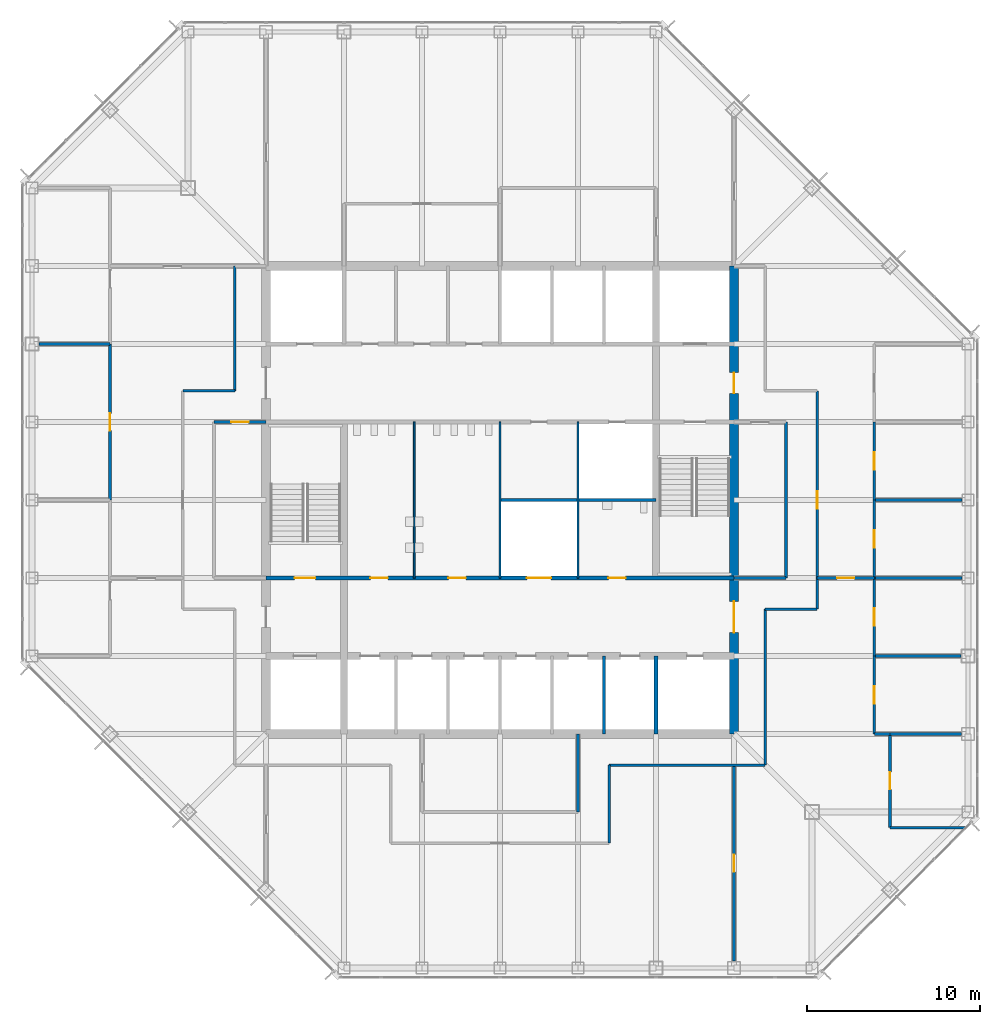
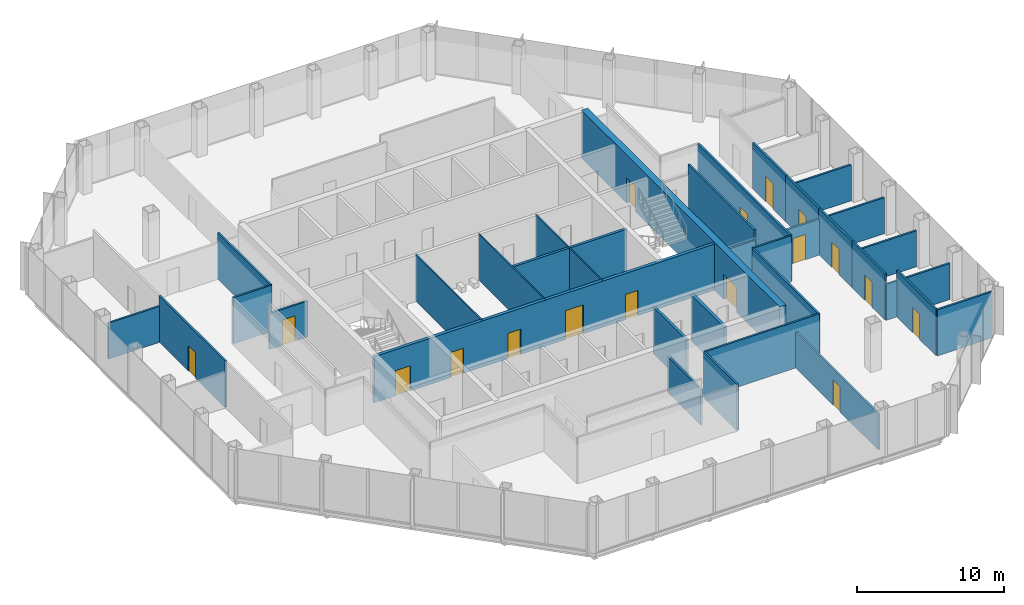
# One storey, part 9 of 13: 34 walls, 17 doors, 17 openings.
"""IFC4 building model written with IfcOpenShell, lengths in metres."""

import ifcopenshell
import ifcopenshell.guid

model = None  # the IFC model being written
_history = None  # IfcOwnerHistory: only IFC2X3 demands one
_inside = {}  # id of a spatial element -> (the spatial element, [elements in it])
_under = {}  # id of a project, library or spatial element -> (it, [spatial elements below it])
_declared = {}  # id of a project -> (the project, [libraries it declares])
_typed = {}  # id of a type object -> (the type object, [elements of that type])
_made_of = {}  # id of a material, layer set ... -> (it, [elements and type objects made of it])


def new_model(schema):
    """Start an empty IFC model of exactly this schema.

    Asked for "IFC4X3", IfcOpenShell would pick the latest addendum, in which some entities
    have other attributes; the version numbers below select the first issue.
    IFC2X3 requires an IfcOwnerHistory on every rooted entity: one is made here for all.
    """
    global model, _history
    if schema == "IFC4X3":
        model = ifcopenshell.file(schema_version=(4, 3, 0, 0))
    else:
        model = ifcopenshell.file(schema=schema)
    _inside.clear()
    _under.clear()
    _declared.clear()
    _typed.clear()
    _made_of.clear()
    _history = None
    if model.schema == "IFC2X3":
        org = make("IfcOrganization", Name="unknown")
        user = make(
            "IfcPersonAndOrganization",
            ThePerson=make("IfcPerson", FamilyName="unknown"),
            TheOrganization=org,
        )
        app = make(
            "IfcApplication",
            ApplicationDeveloper=org,
            Version="unknown",
            ApplicationFullName="unknown",
            ApplicationIdentifier="unknown",
        )
        _history = make(
            "IfcOwnerHistory",
            OwningUser=user,
            OwningApplication=app,
            ChangeAction="ADDED",
            CreationDate=0,
        )
    return model


def make(cls, **values):
    """One entity of the class cls with the attributes given. An attribute that is None is left unset."""
    return model.create_entity(
        cls, **{name: value for name, value in values.items() if value is not None}
    )


def rooted(cls, **values):
    """An entity with a GlobalId (a new one), such as an element, a storey or a relation."""
    return make(cls, GlobalId=ifcopenshell.guid.new(), OwnerHistory=_history, **values)


def si_unit(unit_type, name, prefix=None):
    """IfcSIUnit, for example si_unit("LENGTHUNIT", "METRE", prefix="MILLI")."""
    return make("IfcSIUnit", UnitType=unit_type, Prefix=prefix, Name=name)


def assignment(units):
    """IfcUnitAssignment: the units of a project."""
    return None if units is None else make("IfcUnitAssignment", Units=units)


def point(xyz):
    """IfcCartesianPoint."""
    return None if xyz is None else make("IfcCartesianPoint", Coordinates=xyz)


def direction(xyz):
    """IfcDirection."""
    return None if xyz is None else make("IfcDirection", DirectionRatios=xyz)


def frame(location, z_axis=None, x_axis=None):
    """IfcAxis2Placement3D, a coordinate frame: its origin and axes. An axis left out is left unset."""
    return make(
        "IfcAxis2Placement3D",
        Location=point(location),
        Axis=direction(z_axis),
        RefDirection=direction(x_axis),
    )


def frame_2d(location, x_axis=None):
    """IfcAxis2Placement2D, a coordinate frame in the plane: its origin and x axis."""
    return make(
        "IfcAxis2Placement2D", Location=point(location), RefDirection=direction(x_axis)
    )


def origin():
    """The frame at (0, 0, 0) with its axes left unset."""
    return frame((0.0, 0.0, 0.0))


def place(relative_to, where):
    """IfcLocalPlacement: puts the frame where relative to a parent placement (None: the world)."""
    return make(
        "IfcLocalPlacement", PlacementRelTo=relative_to, RelativePlacement=where
    )


def context(
    kind, dimensions, precision=None, world=None, true_north=None, identifier=None
):
    """IfcGeometricRepresentationContext, for example the 3D "Model" context."""
    return make(
        "IfcGeometricRepresentationContext",
        ContextIdentifier=identifier,
        ContextType=kind,
        CoordinateSpaceDimension=dimensions,
        Precision=precision,
        WorldCoordinateSystem=world,
        TrueNorth=true_north,
    )


def subcontext(parent, identifier, kind, view, scale=None):
    """IfcGeometricRepresentationSubContext, for example "Body" below "Model"."""
    return make(
        "IfcGeometricRepresentationSubContext",
        ContextIdentifier=identifier,
        ContextType=kind,
        ParentContext=parent,
        TargetScale=scale,
        TargetView=view,
    )


def project(units=None, contexts=None):
    """IfcProject with its units and contexts."""
    return rooted(
        "IfcProject",
        Name="project",
        RepresentationContexts=contexts,
        UnitsInContext=assignment(units),
    )


def spatial(cls, under=None, at=None, **own):
    """A site, building, storey or space (cls), placed at a placement, below another one or the project."""
    s = rooted(cls, ObjectPlacement=at, **own)
    if under is not None:
        _under.setdefault(under.id(), (under, []))[1].append(s)
    return s


def profile(cls, at=None, kind="AREA", **sizes):
    """A parametric profile (cls). Its sizes go by their IFC names, for example OverallWidth=200.0."""
    return make(cls, ProfileType=kind, Position=at, **sizes)


def rectangle(**sizes):
    """IfcRectangleProfileDef."""
    return profile("IfcRectangleProfileDef", **sizes)


def extrude(swept, where, along, depth):
    """IfcExtrudedAreaSolid: the profile swept, set in the frame where, extruded along a direction by depth."""
    return make(
        "IfcExtrudedAreaSolid",
        SweptArea=swept,
        Position=where,
        ExtrudedDirection=direction(along),
        Depth=depth,
    )


def shape(context_of_items, identifier, shape_type, items):
    """IfcShapeRepresentation: the items that make up one representation, for example the "Body"."""
    return make(
        "IfcShapeRepresentation",
        ContextOfItems=context_of_items,
        RepresentationIdentifier=identifier,
        RepresentationType=shape_type,
        Items=items,
    )


def material(Name=None, Category=None):
    """IfcMaterial."""
    return make("IfcMaterial", Name=Name, Category=Category)


def layer(
    of_material, thickness, ventilated=None, Name=None, Category=None, Priority=None
):
    """IfcMaterialLayer: one layer of a wall or slab, of a material (None: an air gap)."""
    return make(
        "IfcMaterialLayer",
        Material=of_material,
        LayerThickness=thickness,
        IsVentilated=ventilated,
        Name=Name,
        Category=Category,
        Priority=Priority,
    )


def layer_set(layers, Name=None):
    """IfcMaterialLayerSet."""
    return make("IfcMaterialLayerSet", MaterialLayers=layers, LayerSetName=Name)


def made_of(thing, what):
    """Note that an element or type object is made of a material, layer set ...; save() writes the relation."""
    if what is not None:
        _made_of.setdefault(what.id(), (what, []))[1].append(thing)
    return thing


def type_object(cls, material=None, **own):
    """A type object (cls), such as IfcWallType, which elements share."""
    return made_of(rooted(cls, **own), material)


def element(
    cls,
    number,
    at=None,
    inside=None,
    cuts=None,
    type_object=None,
    material=None,
    context=None,
    identifier="Body",
    shape_type=None,
    held_by="IfcProductDefinitionShape",
    body=None,
    shapes=None,
    **own,
):
    """One element of the class cls, such as IfcWall. Its Tag is "e" and its number.

    at: its placement. inside: the storey or other place that contains it. cuts: it is an
    opening in that element (IfcRelVoidsElement). A single representation is given by context,
    identifier, shape_type and body (its items); several are given by shapes. held_by: the class
    of the entity that holds the representations. save() writes the other relations.
    """
    e = rooted(cls, Tag="e%d" % number, ObjectPlacement=at, **own)
    if body is not None:
        shapes = [shape(context, identifier, shape_type, body)]
    if shapes is not None:
        e.Representation = make(held_by, Representations=shapes)
    if inside is not None:
        _inside.setdefault(inside.id(), (inside, []))[1].append(e)
    if cuts is not None:
        rooted(
            "IfcRelVoidsElement", RelatingBuildingElement=cuts, RelatedOpeningElement=e
        )
    if type_object is not None:
        _typed.setdefault(type_object.id(), (type_object, []))[1].append(e)
    return made_of(e, material)


def fill(opening, filler):
    """IfcRelFillsElement: the door or window that sits in an opening."""
    return rooted(
        "IfcRelFillsElement",
        RelatingOpeningElement=opening,
        RelatedBuildingElement=filler,
    )


def aggregate(whole, parts):
    """IfcRelAggregates: a whole, such as a stair, and the parts it consists of."""
    return rooted("IfcRelAggregates", RelatingObject=whole, RelatedObjects=parts)


def save(model, path):
    """Write the relations noted so far, then the file.

    IfcRelAggregates (storeys below a building ...), IfcRelContainedInSpatialStructure (elements
    in a storey), IfcRelDefinesByType, IfcRelAssociatesMaterial and IfcRelDeclares: one each for
    every whole, place, type object, material and project.
    """
    for whole, parts in _under.values():
        aggregate(whole, parts)
    for where, things in _inside.values():
        rooted(
            "IfcRelContainedInSpatialStructure",
            RelatedElements=things,
            RelatingStructure=where,
        )
    for kind, things in _typed.values():
        rooted("IfcRelDefinesByType", RelatedObjects=things, RelatingType=kind)
    for what, things in _made_of.values():
        rooted("IfcRelAssociatesMaterial", RelatedObjects=things, RelatingMaterial=what)
    for by, libraries in _declared.values():
        rooted("IfcRelDeclares", RelatingContext=by, RelatedDefinitions=libraries)
    model.write(path)


model = new_model("IFC4")

# Units and contexts
model_context = context("Model", 3, precision=1e-05, world=origin(), true_north=direction((0.0, 1.0)))
body_context = subcontext(model_context, "Body", "Model", "MODEL_VIEW")
ifc_project = project(units=[si_unit("LENGTHUNIT", "METRE"), si_unit("AREAUNIT", "SQUARE_METRE"), si_unit("VOLUMEUNIT", "CUBIC_METRE"), si_unit("PLANEANGLEUNIT", "RADIAN"), si_unit("MASSUNIT", "GRAM", prefix="KILO")], contexts=[model_context])

# Site, building, storey
site_placement = place(None, origin())
site = spatial("IfcSite", under=ifc_project, at=site_placement, CompositionType="ELEMENT")
building_placement = place(site_placement, origin())
building = spatial("IfcBuilding", under=site, at=building_placement, Name="Corais Broadcast Tower", CompositionType="ELEMENT")
storey_placement = place(building_placement, frame((0.0, 0.0, 175.60009765625)))
storey = spatial("IfcBuildingStorey", under=building, at=storey_placement, Name="L40", CompositionType="ELEMENT", Elevation=175.60009765625)

# Wall
ifc_material_1 = material(Name="Concrete blockwork class A, grouted, two-hour", Category="masonry")
ifc_layer_1 = layer(ifc_material_1, 0.25)
ifc_layer_set_1 = layer_set([ifc_layer_1], Name="Concrete blockwork class A, grouted, two-hour")
wall_type_1 = type_object("IfcWallType", Name="Core lobby wall 250", PredefinedType="SOLIDWALL", material=ifc_layer_set_1)
wall_1_placement = place(storey_placement, frame((36.0, 13.5, 0.0), z_axis=(0.0, 0.0, 1.0), x_axis=(0.0, 1.0, 0.0)))
element("IfcWall", 1, at=wall_1_placement, inside=storey, type_object=wall_type_1, Name="CL2 core shaft wall X36A L40", PredefinedType="SOLIDWALL", context=body_context, shape_type="SweptSolid", body=[
    extrude(rectangle(XDim=4.5, YDim=0.25, at=frame_2d((2.25, 0.0))), origin(), (0.0, 0.0, 1.0), 3.83984375),
])

# Wall, openings, doors
wall_2_placement = place(storey_placement, frame((13.5, 22.5, 0.0), z_axis=(0.0, 0.0, 1.0), x_axis=(1.0, 0.0, 0.0)))
wall_2 = element("IfcWall", 2, at=wall_2_placement, inside=storey, type_object=wall_type_1, Name="CL2 core lobby wall Y225 L40", PredefinedType="SOLIDWALL", context=body_context, shape_type="SweptSolid", body=[
    extrude(rectangle(XDim=27.0, YDim=0.25, at=frame_2d((13.5, 0.0))), origin(), (0.0, 0.0, 1.0), 3.83984375),
])
opening_1_placement = place(wall_2_placement, frame((1.64990234375, 0.0, 0.0)))
opening_1 = element("IfcOpeningElement", 3, at=opening_1_placement, cuts=wall_2, Name="Opening FD1", PredefinedType="OPENING", context=body_context, shape_type="SweptSolid", body=[
    extrude(rectangle(XDim=1.199951171875, YDim=2.10009765625, at=frame_2d((0.60009765625, 1.050048828125))), frame((0.0, 0.135009765625, 0.0), z_axis=(0.0, -1.0, 0.0), x_axis=(1.0, 0.0, 0.0)), (0.0, 0.0, 1.0), 0.27001953125),
])
opening_2_placement = place(wall_2_placement, frame((6.02490234375, 0.0, 0.0)))
opening_2 = element("IfcOpeningElement", 4, at=opening_2_placement, cuts=wall_2, Name="Opening WD1", PredefinedType="OPENING", context=body_context, shape_type="SweptSolid", body=[
    extrude(rectangle(XDim=1.0, YDim=2.10009765625, at=frame_2d((0.5, 1.050048828125))), frame((0.0, 0.135009765625, 0.0), z_axis=(0.0, -1.0, 0.0), x_axis=(1.0, 0.0, 0.0)), (0.0, 0.0, 1.0), 0.27001953125),
])
opening_3_placement = place(wall_2_placement, frame((10.52490234375, 0.0, 0.0)))
opening_3 = element("IfcOpeningElement", 5, at=opening_3_placement, cuts=wall_2, Name="Opening WD1", PredefinedType="OPENING", context=body_context, shape_type="SweptSolid", body=[
    extrude(rectangle(XDim=1.0, YDim=2.10009765625, at=frame_2d((0.5, 1.050048828125))), frame((0.0, 0.135009765625, 0.0), z_axis=(0.0, -1.0, 0.0), x_axis=(1.0, 0.0, 0.0)), (0.0, 0.0, 1.0), 0.27001953125),
])
opening_4_placement = place(wall_2_placement, frame((19.75, 0.0, 0.0)))
opening_4 = element("IfcOpeningElement", 6, at=opening_4_placement, cuts=wall_2, Name="Opening WD1", PredefinedType="OPENING", context=body_context, shape_type="SweptSolid", body=[
    extrude(rectangle(XDim=1.0, YDim=2.10009765625, at=frame_2d((0.5, 1.050048828125))), frame((0.0, 0.135009765625, 0.0), z_axis=(0.0, -1.0, 0.0), x_axis=(1.0, 0.0, 0.0)), (0.0, 0.0, 1.0), 0.27001953125),
])
opening_5_placement = place(wall_2_placement, frame((15.050048828125, 0.0, 0.0)))
opening_5 = element("IfcOpeningElement", 7, at=opening_5_placement, cuts=wall_2, Name="Opening LD3", PredefinedType="OPENING", context=body_context, shape_type="SweptSolid", body=[
    extrude(rectangle(XDim=1.39990234375, YDim=2.39990234375, at=frame_2d((0.699951171875, 1.199951171875))), frame((0.0, 0.135009765625, 0.0), z_axis=(0.0, -1.0, 0.0), x_axis=(1.0, 0.0, 0.0)), (0.0, 0.0, 1.0), 0.27001953125),
])
ifc_material_2 = material(Name="Steel fire door", Category="steel")
door_type_1 = type_object("IfcDoorType", Name="Fire door 1200x2100", OperationType="SINGLE_SWING_LEFT", PredefinedType="DOOR", material=ifc_material_2)
door_1_placement = place(opening_1_placement, origin())
door_1 = element("IfcDoor", 8, at=door_1_placement, inside=storey, type_object=door_type_1, Name="FD1 stair A door L40", OperationType="SINGLE_SWING_LEFT", OverallHeight=2.10009765625, OverallWidth=1.199951171875, PredefinedType="DOOR", context=body_context, shape_type="SweptSolid", body=[
    extrude(rectangle(XDim=1.199951171875, YDim=2.10009765625, at=frame_2d((0.60009765625, 1.050048828125))), frame((0.0, 0.02490234375, 0.0), z_axis=(0.0, -1.0, 0.0), x_axis=(1.0, 0.0, 0.0)), (0.0, 0.0, 1.0), 0.050048828125),
])
fill(opening_1, door_1)
ifc_material_3 = material(Name="Stainless steel lift door", Category="steel")
door_type_2 = type_object("IfcDoorType", Name="Service lift landing door 1400x2400", OperationType="SLIDING_TO_LEFT", PredefinedType="DOOR", material=ifc_material_3)
door_2_placement = place(opening_5_placement, origin())
door_2 = element("IfcDoor", 9, at=door_2_placement, inside=storey, type_object=door_type_2, Name="LD3 SL1 landing door L40", OperationType="SLIDING_TO_LEFT", OverallHeight=2.39990234375, OverallWidth=1.39990234375, PredefinedType="DOOR", context=body_context, shape_type="SweptSolid", body=[
    extrude(rectangle(XDim=1.39990234375, YDim=2.39990234375, at=frame_2d((0.699951171875, 1.199951171875))), frame((0.0, 0.02490234375, 0.0), z_axis=(0.0, -1.0, 0.0), x_axis=(1.0, 0.0, 0.0)), (0.0, 0.0, 1.0), 0.050048828125),
])
fill(opening_5, door_2)
ifc_material_4 = material(Name="Timber door", Category="wood")
door_type_3 = type_object("IfcDoorType", Name="Toilet door 1000x2100", OperationType="SINGLE_SWING_LEFT", PredefinedType="DOOR", material=ifc_material_4)
door_3_placement = place(opening_2_placement, origin())
door_3 = element("IfcDoor", 10, at=door_3_placement, inside=storey, type_object=door_type_3, Name="WD1 WC male door L40", OperationType="SINGLE_SWING_LEFT", OverallHeight=2.10009765625, OverallWidth=1.0, PredefinedType="DOOR", context=body_context, shape_type="SweptSolid", body=[
    extrude(rectangle(XDim=1.0, YDim=2.10009765625, at=frame_2d((0.5, 1.050048828125))), frame((0.0, 0.02490234375, 0.0), z_axis=(0.0, -1.0, 0.0), x_axis=(1.0, 0.0, 0.0)), (0.0, 0.0, 1.0), 0.050048828125),
])
fill(opening_2, door_3)
door_4_placement = place(opening_3_placement, origin())
door_4 = element("IfcDoor", 11, at=door_4_placement, inside=storey, type_object=door_type_3, Name="WD1 WC female door L40", OperationType="SINGLE_SWING_LEFT", OverallHeight=2.10009765625, OverallWidth=1.0, PredefinedType="DOOR", context=body_context, shape_type="SweptSolid", body=[
    extrude(rectangle(XDim=1.0, YDim=2.10009765625, at=frame_2d((0.5, 1.050048828125))), frame((0.0, 0.02490234375, 0.0), z_axis=(0.0, -1.0, 0.0), x_axis=(1.0, 0.0, 0.0)), (0.0, 0.0, 1.0), 0.050048828125),
])
fill(opening_3, door_4)
door_5_placement = place(opening_4_placement, origin())
door_5 = element("IfcDoor", 12, at=door_5_placement, inside=storey, type_object=door_type_3, Name="WD1 accessible WC door L40", OperationType="SINGLE_SWING_RIGHT", OverallHeight=2.10009765625, OverallWidth=1.0, PredefinedType="DOOR", context=body_context, shape_type="SweptSolid", body=[
    extrude(rectangle(XDim=1.0, YDim=2.10009765625, at=frame_2d((0.5, 1.050048828125))), frame((0.0, 0.02490234375, 0.0), z_axis=(0.0, -1.0, 0.0), x_axis=(1.0, 0.0, 0.0)), (0.0, 0.0, 1.0), 0.050048828125),
])
fill(opening_4, door_5)

ifc_material_5 = material(Name="Concrete C50/60", Category="concrete")
ifc_layer_2 = layer(ifc_material_5, 0.5)
ifc_layer_set_2 = layer_set([ifc_layer_2], Name="Concrete C50/60")
wall_type_2 = type_object("IfcWallType", Name="Core wall 500", PredefinedType="SHEAR", material=ifc_layer_set_2)
wall_3_placement = place(storey_placement, frame((40.5, 13.5, 0.0), z_axis=(0.0, 0.0, 1.0), x_axis=(0.0, 1.0, 0.0)))
wall_3 = element("IfcWall", 13, at=wall_3_placement, inside=storey, type_object=wall_type_2, Name="CR500 core wall E L40", PredefinedType="SHEAR", context=body_context, shape_type="SweptSolid", body=[
    extrude(rectangle(XDim=27.0, YDim=0.5, at=frame_2d((13.5, 0.0))), origin(), (0.0, 0.0, 1.0), 4.0),
])
opening_6_placement = place(wall_3_placement, frame((5.85009765625, 0.0, 0.0)))
opening_6 = element("IfcOpeningElement", 14, at=opening_6_placement, cuts=wall_3, Name="Opening FD2", PredefinedType="OPENING", context=body_context, shape_type="SweptSolid", body=[
    extrude(rectangle(XDim=1.800048828125, YDim=2.10009765625, at=frame_2d((0.89990234375, 1.050048828125))), frame((0.0, 0.260009765625, 0.0), z_axis=(0.0, -1.0, 0.0), x_axis=(1.0, 0.0, 0.0)), (0.0, 0.0, 1.0), 0.52001953125),
])
opening_7_placement = place(wall_3_placement, frame((19.64990234375, 0.0, 0.0)))
opening_7 = element("IfcOpeningElement", 15, at=opening_7_placement, cuts=wall_3, Name="Opening FD1", PredefinedType="OPENING", context=body_context, shape_type="SweptSolid", body=[
    extrude(rectangle(XDim=1.199951171875, YDim=2.10009765625, at=frame_2d((0.60009765625, 1.050048828125))), frame((0.0, 0.260009765625, 0.0), z_axis=(0.0, -1.0, 0.0), x_axis=(1.0, 0.0, 0.0)), (0.0, 0.0, 1.0), 0.52001953125),
])
door_6_placement = place(opening_7_placement, origin())
door_6 = element("IfcDoor", 16, at=door_6_placement, inside=storey, type_object=door_type_1, Name="FD1 fire lobby B door L40", OperationType="SINGLE_SWING_RIGHT", OverallHeight=2.10009765625, OverallWidth=1.199951171875, PredefinedType="DOOR", context=body_context, shape_type="SweptSolid", body=[
    extrude(rectangle(XDim=1.199951171875, YDim=2.10009765625, at=frame_2d((0.60009765625, 1.050048828125))), frame((0.0, 0.02490234375, 0.0), z_axis=(0.0, -1.0, 0.0), x_axis=(1.0, 0.0, 0.0)), (0.0, 0.0, 1.0), 0.050048828125),
])
fill(opening_7, door_6)
ifc_material_6 = material(Name="Steel fire door", Category="steel")
door_type_4 = type_object("IfcDoorType", Name="Fire door pair 1800x2100", OperationType="DOUBLE_DOOR_SINGLE_SWING", PredefinedType="DOOR", material=ifc_material_6)
door_7_placement = place(opening_6_placement, origin())
door_7 = element("IfcDoor", 17, at=door_7_placement, inside=storey, type_object=door_type_4, Name="FD2 lift lobby door L40", OperationType="SINGLE_SWING_LEFT", OverallHeight=2.10009765625, OverallWidth=1.800048828125, PredefinedType="DOOR", context=body_context, shape_type="SweptSolid", body=[
    extrude(rectangle(XDim=1.800048828125, YDim=2.10009765625, at=frame_2d((0.89990234375, 1.050048828125))), frame((0.0, 0.02490234375, 0.0), z_axis=(0.0, -1.0, 0.0), x_axis=(1.0, 0.0, 0.0)), (0.0, 0.0, 1.0), 0.050048828125),
])
fill(opening_6, door_7)

# Wall, opening, door
ifc_material_7 = material(Name="Gypsum board on steel studs", Category="steel")
ifc_layer_3 = layer(ifc_material_7, 0.14990234375)
ifc_layer_set_3 = layer_set([ifc_layer_3], Name="Gypsum board on steel studs")
wall_type_3 = type_object("IfcWallType", Name="Partition 150", PredefinedType="PARTITIONING", material=ifc_layer_set_3)
wall_4_placement = place(storey_placement, frame((45.300048828125, 20.699951171875, 0.0), z_axis=(0.0, 0.0, 1.0), x_axis=(0.0, 1.0, 0.0)))
wall_4 = element("IfcWall", 18, at=wall_4_placement, inside=storey, type_object=wall_type_3, Name="IW3 corridor wall L40", PredefinedType="PARTITIONING", context=body_context, shape_type="SweptSolid", body=[
    extrude(rectangle(XDim=12.60009765625, YDim=0.14990234375, at=frame_2d((6.300048828125, 0.0))), origin(), (0.0, 0.0, 1.0), 3.83984375),
])
opening_8_placement = place(wall_4_placement, frame((5.800048828125, 0.0, 0.0)))
opening_8 = element("IfcOpeningElement", 19, at=opening_8_placement, cuts=wall_4, Name="Opening D1", PredefinedType="OPENING", context=body_context, shape_type="SweptSolid", body=[
    extrude(rectangle(XDim=1.0, YDim=2.10009765625, at=frame_2d((0.5, 1.050048828125))), frame((0.0, 0.0849609375, 0.0), z_axis=(0.0, -1.0, 0.0), x_axis=(1.0, 0.0, 0.0)), (0.0, 0.0, 1.0), 0.169921875),
])
ifc_material_8 = material(Name="Timber door", Category="wood")
door_type_5 = type_object("IfcDoorType", Name="Single door 1000x2100", OperationType="SINGLE_SWING_LEFT", PredefinedType="DOOR", material=ifc_material_8)
door_8_placement = place(opening_8_placement, origin())
door_8 = element("IfcDoor", 20, at=door_8_placement, inside=storey, type_object=door_type_5, Name="D1 workplace door L40", OperationType="SINGLE_SWING_LEFT", OverallHeight=2.10009765625, OverallWidth=1.0, PredefinedType="DOOR", context=body_context, shape_type="SweptSolid", body=[
    extrude(rectangle(XDim=1.0, YDim=2.10009765625, at=frame_2d((0.5, 1.050048828125))), frame((0.0, 0.02490234375, 0.0), z_axis=(0.0, -1.0, 0.0), x_axis=(1.0, 0.0, 0.0)), (0.0, 0.0, 1.0), 0.050048828125),
])
fill(opening_8, door_8)

# Walls
for number, where, z_axis, x_axis, name in (
    (21, (33.300048828125, 11.699951171875, 0.0), (0.0, 0.0, 1.0), (1.0, 0.0, 0.0), "IW3 corridor wall L40"),
    (22, (42.300048828125, 11.699951171875, 0.0), (0.0, 0.0, 1.0), (0.0, 1.0, 0.0), "IW3 corridor wall L40"),
):
    element("IfcWall", number, at=place(storey_placement, frame(where, z_axis=z_axis, x_axis=x_axis)), inside=storey, type_object=wall_type_3, Name=name, PredefinedType="PARTITIONING", context=body_context, shape_type="SweptSolid", body=[
        extrude(rectangle(XDim=9.0, YDim=0.14990234375, at=frame_2d((4.5, 0.0))), origin(), (0.0, 0.0, 1.0), 3.83984375),
    ])
wall_5_placement = place(storey_placement, frame((11.699951171875, 40.5, 0.0), z_axis=(0.0, 0.0, 1.0), x_axis=(0.0, -1.0, 0.0)))
element("IfcWall", 23, at=wall_5_placement, inside=storey, type_object=wall_type_3, Name="IW3 corridor wall L40", PredefinedType="PARTITIONING", context=body_context, shape_type="SweptSolid", body=[
    extrude(rectangle(XDim=7.199951171875, YDim=0.14990234375, at=frame_2d((3.60009765625, 0.0))), origin(), (0.0, 0.0, 1.0), 3.83984375),
])
wall_6_placement = place(storey_placement, frame((33.300048828125, 7.199951171875, 0.0), z_axis=(0.0, 0.0, 1.0), x_axis=(0.0, 1.0, 0.0)))
element("IfcWall", 24, at=wall_6_placement, inside=storey, type_object=wall_type_3, Name="IW3 corridor wall L40", PredefinedType="PARTITIONING", context=body_context, shape_type="SweptSolid", body=[
    extrude(rectangle(XDim=4.5, YDim=0.14990234375, at=frame_2d((2.25, 0.0))), origin(), (0.0, 0.0, 1.0), 3.83984375),
])
for number, where, z_axis, x_axis, name in (
    (25, (11.699951171875, 33.300048828125, 0.0), (0.0, 0.0, 1.0), (-1.0, 0.0, 0.0), "IW3 corridor wall L40"),
    (26, (42.300048828125, 20.699951171875, 0.0), (0.0, 0.0, 1.0), (1.0, 0.0, 0.0), "IW3 corridor wall L40"),
):
    element("IfcWall", number, at=place(storey_placement, frame(where, z_axis=z_axis, x_axis=x_axis)), inside=storey, type_object=wall_type_3, Name=name, PredefinedType="PARTITIONING", context=body_context, shape_type="SweptSolid", body=[
        extrude(rectangle(XDim=3.0, YDim=0.14990234375, at=frame_2d((1.5, 0.0))), origin(), (0.0, 0.0, 1.0), 3.83984375),
    ])

# Wall, opening, door
wall_7_placement = place(storey_placement, frame((4.5, 27.0, 0.0), z_axis=(0.0, 0.0, 1.0), x_axis=(0.0, 1.0, 0.0)))
wall_7 = element("IfcWall", 27, at=wall_7_placement, inside=storey, type_object=wall_type_3, Name="IW3 partition L40", PredefinedType="PARTITIONING", context=body_context, shape_type="SweptSolid", body=[
    extrude(rectangle(XDim=9.0, YDim=0.14990234375, at=frame_2d((4.5, 0.0))), origin(), (0.0, 0.0, 1.0), 3.83984375),
])
opening_9_placement = place(wall_7_placement, frame((4.0, 0.0, 0.0)))
opening_9 = element("IfcOpeningElement", 28, at=opening_9_placement, cuts=wall_7, Name="Opening D1", PredefinedType="OPENING", context=body_context, shape_type="SweptSolid", body=[
    extrude(rectangle(XDim=1.0, YDim=2.10009765625, at=frame_2d((0.5, 1.050048828125))), frame((0.0, 0.0849609375, 0.0), z_axis=(0.0, -1.0, 0.0), x_axis=(1.0, 0.0, 0.0)), (0.0, 0.0, 1.0), 0.169921875),
])
door_9_placement = place(opening_9_placement, origin())
door_9 = element("IfcDoor", 29, at=door_9_placement, inside=storey, type_object=door_type_5, Name="D1 Office door", OperationType="SINGLE_SWING_LEFT", OverallHeight=2.10009765625, OverallWidth=1.0, PredefinedType="DOOR", context=body_context, shape_type="SweptSolid", body=[
    extrude(rectangle(XDim=1.0, YDim=2.10009765625, at=frame_2d((0.5, 1.050048828125))), frame((0.0, 0.02490234375, 0.0), z_axis=(0.0, -1.0, 0.0), x_axis=(1.0, 0.0, 0.0)), (0.0, 0.0, 1.0), 0.050048828125),
])
fill(opening_9, door_9)

# Walls
wall_8_placement = place(storey_placement, frame((4.5, 36.0, 0.0), z_axis=(0.0, 0.0, 1.0), x_axis=(-1.0, 0.0, 0.0)))
element("IfcWall", 30, at=wall_8_placement, inside=storey, type_object=wall_type_3, Name="IW3 partition L40", PredefinedType="PARTITIONING", context=body_context, shape_type="SweptSolid", body=[
    extrude(rectangle(XDim=4.090087890625, YDim=0.14990234375, at=frame_2d((2.044921875, 0.0))), origin(), (0.0, 0.0, 1.0), 2.989013671875),
])
wall_9_placement = place(storey_placement, frame((49.5, 8.10009765625, 0.0), z_axis=(0.0, 0.0, 1.0), x_axis=(1.0, 0.0, 0.0)))
element("IfcWall", 31, at=wall_9_placement, inside=storey, type_object=wall_type_3, Name="IW3 partition L40", PredefinedType="PARTITIONING", context=body_context, shape_type="SweptSolid", body=[
    extrude(rectangle(XDim=4.33544921875, YDim=0.14990234375, at=frame_2d((2.167724609375, 0.0))), origin(), (0.0, 0.0, 1.0), 3.83984375),
])
wall_10_placement = place(storey_placement, frame((53.614990234375, 13.5, 0.0), z_axis=(0.0, 0.0, 1.0), x_axis=(-1.0, 0.0, 0.0)))
element("IfcWall", 32, at=wall_10_placement, inside=storey, type_object=wall_type_3, Name="IW3 partition L40", PredefinedType="PARTITIONING", context=body_context, shape_type="SweptSolid", body=[
    extrude(rectangle(XDim=4.114990234375, YDim=0.14990234375, at=frame_2d((2.0576171875, 0.0))), origin(), (0.0, 0.0, 1.0), 2.989013671875),
])

# Wall, opening, door
wall_11_placement = place(storey_placement, frame((49.5, 13.5, 0.0), z_axis=(0.0, 0.0, 1.0), x_axis=(0.0, -1.0, 0.0)))
wall_11 = element("IfcWall", 33, at=wall_11_placement, inside=storey, type_object=wall_type_3, Name="IW3 partition L40", PredefinedType="PARTITIONING", context=body_context, shape_type="SweptSolid", body=[
    extrude(rectangle(XDim=5.39990234375, YDim=0.14990234375, at=frame_2d((2.699951171875, 0.0))), origin(), (0.0, 0.0, 1.0), 3.83984375),
])
opening_10_placement = place(wall_11_placement, frame((2.199951171875, 0.0, 0.0)))
opening_10 = element("IfcOpeningElement", 34, at=opening_10_placement, cuts=wall_11, Name="Opening D1", PredefinedType="OPENING", context=body_context, shape_type="SweptSolid", body=[
    extrude(rectangle(XDim=1.0, YDim=2.10009765625, at=frame_2d((0.5, 1.050048828125))), frame((0.0, 0.0849609375, 0.0), z_axis=(0.0, -1.0, 0.0), x_axis=(1.0, 0.0, 0.0)), (0.0, 0.0, 1.0), 0.169921875),
])
door_10_placement = place(opening_10_placement, origin())
door_10 = element("IfcDoor", 35, at=door_10_placement, inside=storey, type_object=door_type_5, Name="D1 Office door", OperationType="SINGLE_SWING_LEFT", OverallHeight=2.10009765625, OverallWidth=1.0, PredefinedType="DOOR", context=body_context, shape_type="SweptSolid", body=[
    extrude(rectangle(XDim=1.0, YDim=2.10009765625, at=frame_2d((0.5, 1.050048828125))), frame((0.0, 0.02490234375, 0.0), z_axis=(0.0, -1.0, 0.0), x_axis=(1.0, 0.0, 0.0)), (0.0, 0.0, 1.0), 0.050048828125),
])
fill(opening_10, door_10)

# Walls
wall_12_placement = place(storey_placement, frame((48.60009765625, 13.5, 0.0), z_axis=(0.0, 0.0, 1.0), x_axis=(1.0, 0.0, 0.0)))
element("IfcWall", 36, at=wall_12_placement, inside=storey, type_object=wall_type_3, Name="IW3 partition L40", PredefinedType="PARTITIONING", context=body_context, shape_type="SweptSolid", body=[
    extrude(rectangle(XDim=0.89990234375, YDim=0.14990234375, at=frame_2d((0.449951171875, 0.0))), origin(), (0.0, 0.0, 1.0), 2.989013671875),
])
wall_13_placement = place(storey_placement, frame((53.590087890625, 18.0, 0.0), z_axis=(0.0, 0.0, 1.0), x_axis=(-1.0, 0.0, 0.0)))
element("IfcWall", 37, at=wall_13_placement, inside=storey, type_object=wall_type_3, Name="IW3 partition L40", PredefinedType="PARTITIONING", context=body_context, shape_type="SweptSolid", body=[
    extrude(rectangle(XDim=4.989990234375, YDim=0.14990234375, at=frame_2d((2.4951171875, 0.0))), origin(), (0.0, 0.0, 1.0), 2.989013671875),
])

# Wall, opening, door
wall_14_placement = place(storey_placement, frame((48.60009765625, 18.0, 0.0), z_axis=(0.0, 0.0, 1.0), x_axis=(0.0, -1.0, 0.0)))
wall_14 = element("IfcWall", 38, at=wall_14_placement, inside=storey, type_object=wall_type_3, Name="IW3 partition L40", PredefinedType="PARTITIONING", context=body_context, shape_type="SweptSolid", body=[
    extrude(rectangle(XDim=4.5, YDim=0.14990234375, at=frame_2d((2.25, 0.0))), origin(), (0.0, 0.0, 1.0), 3.83984375),
])
opening_11_placement = place(wall_14_placement, frame((1.75, 0.0, 0.0)))
opening_11 = element("IfcOpeningElement", 39, at=opening_11_placement, cuts=wall_14, Name="Opening D1", PredefinedType="OPENING", context=body_context, shape_type="SweptSolid", body=[
    extrude(rectangle(XDim=1.0, YDim=2.10009765625, at=frame_2d((0.5, 1.050048828125))), frame((0.0, 0.0849609375, 0.0), z_axis=(0.0, -1.0, 0.0), x_axis=(1.0, 0.0, 0.0)), (0.0, 0.0, 1.0), 0.169921875),
])
door_11_placement = place(opening_11_placement, origin())
door_11 = element("IfcDoor", 40, at=door_11_placement, inside=storey, type_object=door_type_5, Name="D1 Office door", OperationType="SINGLE_SWING_LEFT", OverallHeight=2.10009765625, OverallWidth=1.0, PredefinedType="DOOR", context=body_context, shape_type="SweptSolid", body=[
    extrude(rectangle(XDim=1.0, YDim=2.10009765625, at=frame_2d((0.5, 1.050048828125))), frame((0.0, 0.02490234375, 0.0), z_axis=(0.0, -1.0, 0.0), x_axis=(1.0, 0.0, 0.0)), (0.0, 0.0, 1.0), 0.050048828125),
])
fill(opening_11, door_11)

# Wall
wall_15_placement = place(storey_placement, frame((53.639892578125, 22.5, 0.0), z_axis=(0.0, 0.0, 1.0), x_axis=(-1.0, 0.0, 0.0)))
element("IfcWall", 41, at=wall_15_placement, inside=storey, type_object=wall_type_3, Name="IW3 partition L40", PredefinedType="PARTITIONING", context=body_context, shape_type="SweptSolid", body=[
    extrude(rectangle(XDim=5.039794921875, YDim=0.14990234375, at=frame_2d((2.52001953125, 0.0))), origin(), (0.0, 0.0, 1.0), 2.989013671875),
])

# Wall, opening, door
wall_16_placement = place(storey_placement, frame((48.60009765625, 22.5, 0.0), z_axis=(0.0, 0.0, 1.0), x_axis=(0.0, -1.0, 0.0)))
wall_16 = element("IfcWall", 42, at=wall_16_placement, inside=storey, type_object=wall_type_3, Name="IW3 partition L40", PredefinedType="PARTITIONING", context=body_context, shape_type="SweptSolid", body=[
    extrude(rectangle(XDim=4.5, YDim=0.14990234375, at=frame_2d((2.25, 0.0))), origin(), (0.0, 0.0, 1.0), 3.83984375),
])
opening_12_placement = place(wall_16_placement, frame((1.75, 0.0, 0.0)))
opening_12 = element("IfcOpeningElement", 43, at=opening_12_placement, cuts=wall_16, Name="Opening D1", PredefinedType="OPENING", context=body_context, shape_type="SweptSolid", body=[
    extrude(rectangle(XDim=1.0, YDim=2.10009765625, at=frame_2d((0.5, 1.050048828125))), frame((0.0, 0.0849609375, 0.0), z_axis=(0.0, -1.0, 0.0), x_axis=(1.0, 0.0, 0.0)), (0.0, 0.0, 1.0), 0.169921875),
])
door_12_placement = place(opening_12_placement, origin())
door_12 = element("IfcDoor", 44, at=door_12_placement, inside=storey, type_object=door_type_5, Name="D1 Office door", OperationType="SINGLE_SWING_LEFT", OverallHeight=2.10009765625, OverallWidth=1.0, PredefinedType="DOOR", context=body_context, shape_type="SweptSolid", body=[
    extrude(rectangle(XDim=1.0, YDim=2.10009765625, at=frame_2d((0.5, 1.050048828125))), frame((0.0, 0.02490234375, 0.0), z_axis=(0.0, -1.0, 0.0), x_axis=(1.0, 0.0, 0.0)), (0.0, 0.0, 1.0), 0.050048828125),
])
fill(opening_12, door_12)

# Wall
wall_17_placement = place(storey_placement, frame((53.639892578125, 27.0, 0.0), z_axis=(0.0, 0.0, 1.0), x_axis=(-1.0, 0.0, 0.0)))
element("IfcWall", 45, at=wall_17_placement, inside=storey, type_object=wall_type_3, Name="IW3 partition L40", PredefinedType="PARTITIONING", context=body_context, shape_type="SweptSolid", body=[
    extrude(rectangle(XDim=5.039794921875, YDim=0.14990234375, at=frame_2d((2.52001953125, 0.0))), origin(), (0.0, 0.0, 1.0), 2.989013671875),
])

# Wall, opening, door
wall_18_placement = place(storey_placement, frame((48.60009765625, 27.0, 0.0), z_axis=(0.0, 0.0, 1.0), x_axis=(0.0, -1.0, 0.0)))
wall_18 = element("IfcWall", 46, at=wall_18_placement, inside=storey, type_object=wall_type_3, Name="IW3 partition L40", PredefinedType="PARTITIONING", context=body_context, shape_type="SweptSolid", body=[
    extrude(rectangle(XDim=4.5, YDim=0.14990234375, at=frame_2d((2.25, 0.0))), origin(), (0.0, 0.0, 1.0), 3.83984375),
])
opening_13_placement = place(wall_18_placement, frame((1.75, 0.0, 0.0)))
opening_13 = element("IfcOpeningElement", 47, at=opening_13_placement, cuts=wall_18, Name="Opening D1", PredefinedType="OPENING", context=body_context, shape_type="SweptSolid", body=[
    extrude(rectangle(XDim=1.0, YDim=2.10009765625, at=frame_2d((0.5, 1.050048828125))), frame((0.0, 0.0849609375, 0.0), z_axis=(0.0, -1.0, 0.0), x_axis=(1.0, 0.0, 0.0)), (0.0, 0.0, 1.0), 0.169921875),
])
door_13_placement = place(opening_13_placement, origin())
door_13 = element("IfcDoor", 48, at=door_13_placement, inside=storey, type_object=door_type_5, Name="D1 Office door", OperationType="SINGLE_SWING_LEFT", OverallHeight=2.10009765625, OverallWidth=1.0, PredefinedType="DOOR", context=body_context, shape_type="SweptSolid", body=[
    extrude(rectangle(XDim=1.0, YDim=2.10009765625, at=frame_2d((0.5, 1.050048828125))), frame((0.0, 0.02490234375, 0.0), z_axis=(0.0, -1.0, 0.0), x_axis=(1.0, 0.0, 0.0)), (0.0, 0.0, 1.0), 0.050048828125),
])
fill(opening_13, door_13)

wall_19_placement = place(storey_placement, frame((48.60009765625, 31.5, 0.0), z_axis=(0.0, 0.0, 1.0), x_axis=(0.0, -1.0, 0.0)))
wall_19 = element("IfcWall", 49, at=wall_19_placement, inside=storey, type_object=wall_type_3, Name="IW3 partition L40", PredefinedType="PARTITIONING", context=body_context, shape_type="SweptSolid", body=[
    extrude(rectangle(XDim=4.5, YDim=0.14990234375, at=frame_2d((2.25, 0.0))), origin(), (0.0, 0.0, 1.0), 3.83984375),
])
opening_14_placement = place(wall_19_placement, frame((1.75, 0.0, 0.0)))
opening_14 = element("IfcOpeningElement", 50, at=opening_14_placement, cuts=wall_19, Name="Opening D1", PredefinedType="OPENING", context=body_context, shape_type="SweptSolid", body=[
    extrude(rectangle(XDim=1.0, YDim=2.10009765625, at=frame_2d((0.5, 1.050048828125))), frame((0.0, 0.0849609375, 0.0), z_axis=(0.0, -1.0, 0.0), x_axis=(1.0, 0.0, 0.0)), (0.0, 0.0, 1.0), 0.169921875),
])
door_14_placement = place(opening_14_placement, origin())
door_14 = element("IfcDoor", 51, at=door_14_placement, inside=storey, type_object=door_type_5, Name="D1 Office door", OperationType="SINGLE_SWING_LEFT", OverallHeight=2.10009765625, OverallWidth=1.0, PredefinedType="DOOR", context=body_context, shape_type="SweptSolid", body=[
    extrude(rectangle(XDim=1.0, YDim=2.10009765625, at=frame_2d((0.5, 1.050048828125))), frame((0.0, 0.02490234375, 0.0), z_axis=(0.0, -1.0, 0.0), x_axis=(1.0, 0.0, 0.0)), (0.0, 0.0, 1.0), 0.050048828125),
])
fill(opening_14, door_14)

# Walls
wall_20_placement = place(storey_placement, frame((31.5, 9.0, 0.0), z_axis=(0.0, 0.0, 1.0), x_axis=(0.0, 1.0, 0.0)))
element("IfcWall", 52, at=wall_20_placement, inside=storey, type_object=wall_type_3, Name="IW3 partition L40", PredefinedType="PARTITIONING", context=body_context, shape_type="SweptSolid", body=[
    extrude(rectangle(XDim=4.5, YDim=0.14990234375, at=frame_2d((2.25, 0.0))), origin(), (0.0, 0.0, 1.0), 2.989013671875),
])
wall_21_placement = place(storey_placement, frame((40.5, 22.5, 0.0), z_axis=(0.0, 0.0, 1.0), x_axis=(1.0, 0.0, 0.0)))
element("IfcWall", 53, at=wall_21_placement, inside=storey, type_object=wall_type_3, Name="IW3 partition L40", PredefinedType="PARTITIONING", context=body_context, shape_type="SweptSolid", body=[
    extrude(rectangle(XDim=3.0, YDim=0.14990234375, at=frame_2d((1.5, 0.0))), origin(), (0.0, 0.0, 1.0), 2.989013671875),
])
wall_22_placement = place(storey_placement, frame((43.5, 22.5, 0.0), z_axis=(0.0, 0.0, 1.0), x_axis=(0.0, 1.0, 0.0)))
element("IfcWall", 54, at=wall_22_placement, inside=storey, type_object=wall_type_3, Name="IW3 partition L40", PredefinedType="PARTITIONING", context=body_context, shape_type="SweptSolid", body=[
    extrude(rectangle(XDim=9.0, YDim=0.14990234375, at=frame_2d((4.5, 0.0))), origin(), (0.0, 0.0, 1.0), 3.83984375),
])

# Wall, opening, door
wall_23_placement = place(storey_placement, frame((13.5, 31.5, 0.0), z_axis=(0.0, 0.0, 1.0), x_axis=(-1.0, 0.0, 0.0)))
wall_23 = element("IfcWall", 55, at=wall_23_placement, inside=storey, type_object=wall_type_3, Name="IW3 partition L40", PredefinedType="PARTITIONING", context=body_context, shape_type="SweptSolid", body=[
    extrude(rectangle(XDim=3.0, YDim=0.14990234375, at=frame_2d((1.5, 0.0))), origin(), (0.0, 0.0, 1.0), 2.989013671875),
])
opening_15_placement = place(wall_23_placement, frame((1.0, 0.0, 0.0)))
opening_15 = element("IfcOpeningElement", 56, at=opening_15_placement, cuts=wall_23, Name="Opening D1", PredefinedType="OPENING", context=body_context, shape_type="SweptSolid", body=[
    extrude(rectangle(XDim=1.0, YDim=2.10009765625, at=frame_2d((0.5, 1.050048828125))), frame((0.0, 0.0849609375, 0.0), z_axis=(0.0, -1.0, 0.0), x_axis=(1.0, 0.0, 0.0)), (0.0, 0.0, 1.0), 0.169921875),
])
door_15_placement = place(opening_15_placement, origin())
door_15 = element("IfcDoor", 57, at=door_15_placement, inside=storey, type_object=door_type_5, Name="D1 Breakout lounge door", OperationType="SINGLE_SWING_LEFT", OverallHeight=2.10009765625, OverallWidth=1.0, PredefinedType="DOOR", context=body_context, shape_type="SweptSolid", body=[
    extrude(rectangle(XDim=1.0, YDim=2.10009765625, at=frame_2d((0.5, 1.050048828125))), frame((0.0, 0.02490234375, 0.0), z_axis=(0.0, -1.0, 0.0), x_axis=(1.0, 0.0, 0.0)), (0.0, 0.0, 1.0), 0.050048828125),
])
fill(opening_15, door_15)

wall_24_placement = place(storey_placement, frame((40.5, 0.39501953125, 0.0), z_axis=(0.0, 0.0, 1.0), x_axis=(0.0, 1.0, 0.0)))
wall_24 = element("IfcWall", 58, at=wall_24_placement, inside=storey, type_object=wall_type_3, Name="IW3 partition L40", PredefinedType="PARTITIONING", context=body_context, shape_type="SweptSolid", body=[
    extrude(rectangle(XDim=11.304931640625, YDim=0.14990234375, at=frame_2d((5.65234375, 0.0))), origin(), (0.0, 0.0, 1.0), 2.989013671875),
])
opening_16_placement = place(wall_24_placement, frame((5.152587890625, 0.0, 0.0)))
opening_16 = element("IfcOpeningElement", 59, at=opening_16_placement, cuts=wall_24, Name="Opening D1", PredefinedType="OPENING", context=body_context, shape_type="SweptSolid", body=[
    extrude(rectangle(XDim=1.0, YDim=2.10009765625, at=frame_2d((0.5, 1.050048828125))), frame((0.0, 0.0849609375, 0.0), z_axis=(0.0, -1.0, 0.0), x_axis=(1.0, 0.0, 0.0)), (0.0, 0.0, 1.0), 0.169921875),
])
door_16_placement = place(opening_16_placement, origin())
door_16 = element("IfcDoor", 60, at=door_16_placement, inside=storey, type_object=door_type_5, Name="D1 team room door L40", OperationType="SINGLE_SWING_LEFT", OverallHeight=2.10009765625, OverallWidth=1.0, PredefinedType="DOOR", context=body_context, shape_type="SweptSolid", body=[
    extrude(rectangle(XDim=1.0, YDim=2.10009765625, at=frame_2d((0.5, 1.050048828125))), frame((0.0, 0.02490234375, 0.0), z_axis=(0.0, -1.0, 0.0), x_axis=(1.0, 0.0, 0.0)), (0.0, 0.0, 1.0), 0.050048828125),
])
fill(opening_16, door_16)

wall_25_placement = place(storey_placement, frame((45.300048828125, 22.5, 0.0), z_axis=(0.0, 0.0, 1.0), x_axis=(1.0, 0.0, 0.0)))
wall_25 = element("IfcWall", 61, at=wall_25_placement, inside=storey, type_object=wall_type_3, Name="IW3 partition L40", PredefinedType="PARTITIONING", context=body_context, shape_type="SweptSolid", body=[
    extrude(rectangle(XDim=3.300048828125, YDim=0.14990234375, at=frame_2d((1.64990234375, 0.0))), origin(), (0.0, 0.0, 1.0), 2.989013671875),
])
opening_17_placement = place(wall_25_placement, frame((1.14990234375, 0.0, 0.0)))
opening_17 = element("IfcOpeningElement", 62, at=opening_17_placement, cuts=wall_25, Name="Opening D1", PredefinedType="OPENING", context=body_context, shape_type="SweptSolid", body=[
    extrude(rectangle(XDim=1.0, YDim=2.10009765625, at=frame_2d((0.5, 1.050048828125))), frame((0.0, 0.0849609375, 0.0), z_axis=(0.0, -1.0, 0.0), x_axis=(1.0, 0.0, 0.0)), (0.0, 0.0, 1.0), 0.169921875),
])
door_17_placement = place(opening_17_placement, origin())
door_17 = element("IfcDoor", 63, at=door_17_placement, inside=storey, type_object=door_type_5, Name="D1 team room door L40", OperationType="SINGLE_SWING_LEFT", OverallHeight=2.10009765625, OverallWidth=1.0, PredefinedType="DOOR", context=body_context, shape_type="SweptSolid", body=[
    extrude(rectangle(XDim=1.0, YDim=2.10009765625, at=frame_2d((0.5, 1.050048828125))), frame((0.0, 0.02490234375, 0.0), z_axis=(0.0, -1.0, 0.0), x_axis=(1.0, 0.0, 0.0)), (0.0, 0.0, 1.0), 0.050048828125),
])
fill(opening_17, door_17)

# Walls
ifc_material_9 = material(Name="Concrete blockwork class A, grouted, two-hour", Category="masonry")
ifc_layer_4 = layer(ifc_material_9, 0.199951171875)
ifc_layer_set_4 = layer_set([ifc_layer_4], Name="Concrete blockwork class A, grouted, two-hour")
wall_type_4 = type_object("IfcWallType", Name="Shaft wall 200", PredefinedType="PARTITIONING", material=ifc_layer_set_4)
wall_26_placement = place(storey_placement, frame((33.0, 13.5, 0.0), z_axis=(0.0, 0.0, 1.0), x_axis=(0.0, 1.0, 0.0)))
element("IfcWall", 64, at=wall_26_placement, inside=storey, type_object=wall_type_4, Name="IW1 shaft wall L40", PredefinedType="PARTITIONING", context=body_context, shape_type="SweptSolid", body=[
    extrude(rectangle(XDim=4.5, YDim=0.199951171875, at=frame_2d((2.25, 0.0))), origin(), (0.0, 0.0, 1.0), 3.83984375),
])
wall_27_placement = place(storey_placement, frame((27.0, 27.0, 0.0), z_axis=(0.0, 0.0, 1.0), x_axis=(1.0, 0.0, 0.0)))
element("IfcWall", 65, at=wall_27_placement, inside=storey, type_object=wall_type_4, Name="IW1 shaft wall L40", PredefinedType="PARTITIONING", context=body_context, shape_type="SweptSolid", body=[
    extrude(rectangle(XDim=9.0, YDim=0.199951171875, at=frame_2d((4.5, 0.0))), origin(), (0.0, 0.0, 1.0), 3.83984375),
])
ifc_material_10 = material(Name="Dense concrete blockwork class A, tiled both faces", Category="masonry")
ifc_layer_5 = layer(ifc_material_10, 0.10009765625)
ifc_layer_set_5 = layer_set([ifc_layer_5], Name="Dense concrete blockwork class A, tiled both faces")
wall_type_5 = type_object("IfcWallType", Name="Toilet wall 100", PredefinedType="PLUMBINGWALL", material=ifc_layer_set_5)
for number, where, z_axis, x_axis, name in (
    (66, (22.050048828125, 22.5, 0.0), (0.0, 0.0, 1.0), (0.0, 1.0, 0.0), "IW2 toilet wall L40"),
    (67, (27.0, 22.5, 0.0), (0.0, 0.0, 1.0), (0.0, 1.0, 0.0), "IW2 toilet wall L40"),
    (68, (31.5, 22.5, 0.0), (0.0, 0.0, 1.0), (0.0, 1.0, 0.0), "IW2 toilet wall L40"),
):
    element("IfcWall", number, at=place(storey_placement, frame(where, z_axis=z_axis, x_axis=x_axis)), inside=storey, type_object=wall_type_5, Name=name, PredefinedType="PLUMBINGWALL", context=body_context, shape_type="SweptSolid", body=[
        extrude(rectangle(XDim=9.0, YDim=0.10009765625, at=frame_2d((4.5, 0.0))), origin(), (0.0, 0.0, 1.0), 3.83984375),
    ])

save(model, "model.ifc")
